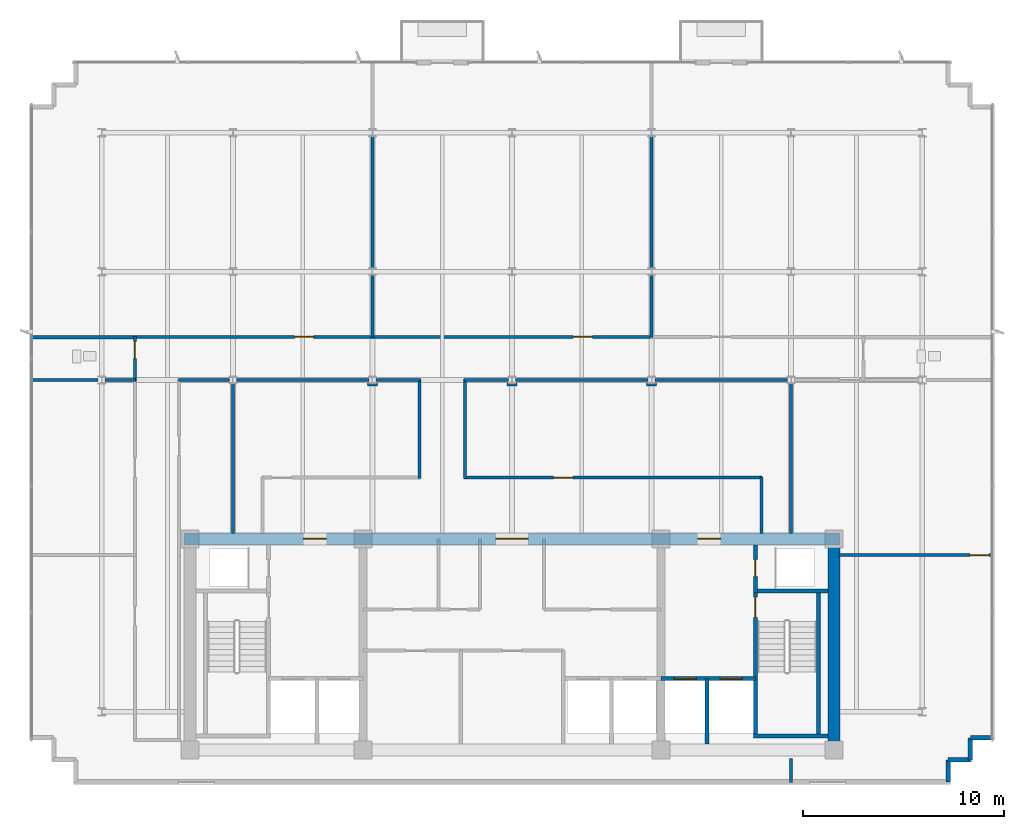
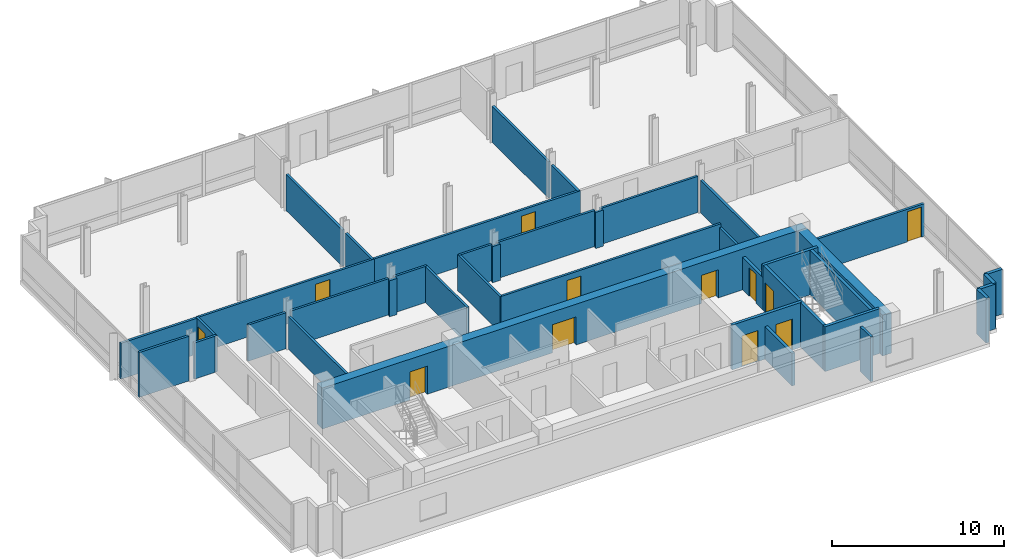
# One storey, part 9 of 13: 40 walls, 12 doors, 12 openings.
"""IFC4 building model written with IfcOpenShell, lengths in metres."""

import ifcopenshell
import ifcopenshell.guid

model = None  # the IFC model being written
_history = None  # IfcOwnerHistory: only IFC2X3 demands one
_inside = {}  # id of a spatial element -> (the spatial element, [elements in it])
_under = {}  # id of a project, library or spatial element -> (it, [spatial elements below it])
_declared = {}  # id of a project -> (the project, [libraries it declares])
_typed = {}  # id of a type object -> (the type object, [elements of that type])
_made_of = {}  # id of a material, layer set ... -> (it, [elements and type objects made of it])


def new_model(schema):
    """Start an empty IFC model of exactly this schema.

    Asked for "IFC4X3", IfcOpenShell would pick the latest addendum, in which some entities
    have other attributes; the version numbers below select the first issue.
    IFC2X3 requires an IfcOwnerHistory on every rooted entity: one is made here for all.
    """
    global model, _history
    if schema == "IFC4X3":
        model = ifcopenshell.file(schema_version=(4, 3, 0, 0))
    else:
        model = ifcopenshell.file(schema=schema)
    _inside.clear()
    _under.clear()
    _declared.clear()
    _typed.clear()
    _made_of.clear()
    _history = None
    if model.schema == "IFC2X3":
        org = make("IfcOrganization", Name="unknown")
        user = make(
            "IfcPersonAndOrganization",
            ThePerson=make("IfcPerson", FamilyName="unknown"),
            TheOrganization=org,
        )
        app = make(
            "IfcApplication",
            ApplicationDeveloper=org,
            Version="unknown",
            ApplicationFullName="unknown",
            ApplicationIdentifier="unknown",
        )
        _history = make(
            "IfcOwnerHistory",
            OwningUser=user,
            OwningApplication=app,
            ChangeAction="ADDED",
            CreationDate=0,
        )
    return model


def make(cls, **values):
    """One entity of the class cls with the attributes given. An attribute that is None is left unset."""
    return model.create_entity(
        cls, **{name: value for name, value in values.items() if value is not None}
    )


def rooted(cls, **values):
    """An entity with a GlobalId (a new one), such as an element, a storey or a relation."""
    return make(cls, GlobalId=ifcopenshell.guid.new(), OwnerHistory=_history, **values)


def si_unit(unit_type, name, prefix=None):
    """IfcSIUnit, for example si_unit("LENGTHUNIT", "METRE", prefix="MILLI")."""
    return make("IfcSIUnit", UnitType=unit_type, Prefix=prefix, Name=name)


def assignment(units):
    """IfcUnitAssignment: the units of a project."""
    return None if units is None else make("IfcUnitAssignment", Units=units)


def point(xyz):
    """IfcCartesianPoint."""
    return None if xyz is None else make("IfcCartesianPoint", Coordinates=xyz)


def direction(xyz):
    """IfcDirection."""
    return None if xyz is None else make("IfcDirection", DirectionRatios=xyz)


def frame(location, z_axis=None, x_axis=None):
    """IfcAxis2Placement3D, a coordinate frame: its origin and axes. An axis left out is left unset."""
    return make(
        "IfcAxis2Placement3D",
        Location=point(location),
        Axis=direction(z_axis),
        RefDirection=direction(x_axis),
    )


def frame_2d(location, x_axis=None):
    """IfcAxis2Placement2D, a coordinate frame in the plane: its origin and x axis."""
    return make(
        "IfcAxis2Placement2D", Location=point(location), RefDirection=direction(x_axis)
    )


def origin():
    """The frame at (0, 0, 0) with its axes left unset."""
    return frame((0.0, 0.0, 0.0))


def place(relative_to, where):
    """IfcLocalPlacement: puts the frame where relative to a parent placement (None: the world)."""
    return make(
        "IfcLocalPlacement", PlacementRelTo=relative_to, RelativePlacement=where
    )


def context(
    kind, dimensions, precision=None, world=None, true_north=None, identifier=None
):
    """IfcGeometricRepresentationContext, for example the 3D "Model" context."""
    return make(
        "IfcGeometricRepresentationContext",
        ContextIdentifier=identifier,
        ContextType=kind,
        CoordinateSpaceDimension=dimensions,
        Precision=precision,
        WorldCoordinateSystem=world,
        TrueNorth=true_north,
    )


def subcontext(parent, identifier, kind, view, scale=None):
    """IfcGeometricRepresentationSubContext, for example "Body" below "Model"."""
    return make(
        "IfcGeometricRepresentationSubContext",
        ContextIdentifier=identifier,
        ContextType=kind,
        ParentContext=parent,
        TargetScale=scale,
        TargetView=view,
    )


def project(units=None, contexts=None):
    """IfcProject with its units and contexts."""
    return rooted(
        "IfcProject",
        Name="project",
        RepresentationContexts=contexts,
        UnitsInContext=assignment(units),
    )


def spatial(cls, under=None, at=None, **own):
    """A site, building, storey or space (cls), placed at a placement, below another one or the project."""
    s = rooted(cls, ObjectPlacement=at, **own)
    if under is not None:
        _under.setdefault(under.id(), (under, []))[1].append(s)
    return s


def profile(cls, at=None, kind="AREA", **sizes):
    """A parametric profile (cls). Its sizes go by their IFC names, for example OverallWidth=200.0."""
    return make(cls, ProfileType=kind, Position=at, **sizes)


def rectangle(**sizes):
    """IfcRectangleProfileDef."""
    return profile("IfcRectangleProfileDef", **sizes)


def extrude(swept, where, along, depth):
    """IfcExtrudedAreaSolid: the profile swept, set in the frame where, extruded along a direction by depth."""
    return make(
        "IfcExtrudedAreaSolid",
        SweptArea=swept,
        Position=where,
        ExtrudedDirection=direction(along),
        Depth=depth,
    )


def shape(context_of_items, identifier, shape_type, items):
    """IfcShapeRepresentation: the items that make up one representation, for example the "Body"."""
    return make(
        "IfcShapeRepresentation",
        ContextOfItems=context_of_items,
        RepresentationIdentifier=identifier,
        RepresentationType=shape_type,
        Items=items,
    )


def material(Name=None, Category=None):
    """IfcMaterial."""
    return make("IfcMaterial", Name=Name, Category=Category)


def layer(
    of_material, thickness, ventilated=None, Name=None, Category=None, Priority=None
):
    """IfcMaterialLayer: one layer of a wall or slab, of a material (None: an air gap)."""
    return make(
        "IfcMaterialLayer",
        Material=of_material,
        LayerThickness=thickness,
        IsVentilated=ventilated,
        Name=Name,
        Category=Category,
        Priority=Priority,
    )


def layer_set(layers, Name=None):
    """IfcMaterialLayerSet."""
    return make("IfcMaterialLayerSet", MaterialLayers=layers, LayerSetName=Name)


def made_of(thing, what):
    """Note that an element or type object is made of a material, layer set ...; save() writes the relation."""
    if what is not None:
        _made_of.setdefault(what.id(), (what, []))[1].append(thing)
    return thing


def type_object(cls, material=None, **own):
    """A type object (cls), such as IfcWallType, which elements share."""
    return made_of(rooted(cls, **own), material)


def element(
    cls,
    number,
    at=None,
    inside=None,
    cuts=None,
    type_object=None,
    material=None,
    context=None,
    identifier="Body",
    shape_type=None,
    held_by="IfcProductDefinitionShape",
    body=None,
    shapes=None,
    **own,
):
    """One element of the class cls, such as IfcWall. Its Tag is "e" and its number.

    at: its placement. inside: the storey or other place that contains it. cuts: it is an
    opening in that element (IfcRelVoidsElement). A single representation is given by context,
    identifier, shape_type and body (its items); several are given by shapes. held_by: the class
    of the entity that holds the representations. save() writes the other relations.
    """
    e = rooted(cls, Tag="e%d" % number, ObjectPlacement=at, **own)
    if body is not None:
        shapes = [shape(context, identifier, shape_type, body)]
    if shapes is not None:
        e.Representation = make(held_by, Representations=shapes)
    if inside is not None:
        _inside.setdefault(inside.id(), (inside, []))[1].append(e)
    if cuts is not None:
        rooted(
            "IfcRelVoidsElement", RelatingBuildingElement=cuts, RelatedOpeningElement=e
        )
    if type_object is not None:
        _typed.setdefault(type_object.id(), (type_object, []))[1].append(e)
    return made_of(e, material)


def fill(opening, filler):
    """IfcRelFillsElement: the door or window that sits in an opening."""
    return rooted(
        "IfcRelFillsElement",
        RelatingOpeningElement=opening,
        RelatedBuildingElement=filler,
    )


def aggregate(whole, parts):
    """IfcRelAggregates: a whole, such as a stair, and the parts it consists of."""
    return rooted("IfcRelAggregates", RelatingObject=whole, RelatedObjects=parts)


def save(model, path):
    """Write the relations noted so far, then the file.

    IfcRelAggregates (storeys below a building ...), IfcRelContainedInSpatialStructure (elements
    in a storey), IfcRelDefinesByType, IfcRelAssociatesMaterial and IfcRelDeclares: one each for
    every whole, place, type object, material and project.
    """
    for whole, parts in _under.values():
        aggregate(whole, parts)
    for where, things in _inside.values():
        rooted(
            "IfcRelContainedInSpatialStructure",
            RelatedElements=things,
            RelatingStructure=where,
        )
    for kind, things in _typed.values():
        rooted("IfcRelDefinesByType", RelatedObjects=things, RelatingType=kind)
    for what, things in _made_of.values():
        rooted("IfcRelAssociatesMaterial", RelatedObjects=things, RelatingMaterial=what)
    for by, libraries in _declared.values():
        rooted("IfcRelDeclares", RelatingContext=by, RelatedDefinitions=libraries)
    model.write(path)


model = new_model("IFC4")

# Units and contexts
model_context = context("Model", 3, precision=1e-05, world=origin(), true_north=direction((0.0, 1.0)))
body_context = subcontext(model_context, "Body", "Model", "MODEL_VIEW")
ifc_project = project(units=[si_unit("LENGTHUNIT", "METRE"), si_unit("AREAUNIT", "SQUARE_METRE"), si_unit("VOLUMEUNIT", "CUBIC_METRE"), si_unit("PLANEANGLEUNIT", "RADIAN"), si_unit("MASSUNIT", "GRAM", prefix="KILO")], contexts=[model_context])

# Site, building, storey
site_placement = place(None, origin())
site = spatial("IfcSite", under=ifc_project, at=site_placement, CompositionType="ELEMENT")
building_placement = place(site_placement, origin())
building = spatial("IfcBuilding", under=site, at=building_placement, Name="Solmavex Isthmus Hotel", CompositionType="ELEMENT")
storey_placement = place(building_placement, frame((0.0, 0.0, 276.449951171875)))
storey = spatial("IfcBuildingStorey", under=building, at=storey_placement, Name="L75", CompositionType="ELEMENT", Elevation=276.449951171875)

# Walls
ifc_material_1 = material(Name="Precast Concrete C40/50", Category="concrete")
ifc_layer_1 = layer(ifc_material_1, 0.25)
ifc_layer_set_1 = layer_set([ifc_layer_1], Name="Precast Concrete C40/50")
wall_type_1 = type_object("IfcWallType", Name="EW-TWR-250", PredefinedType="STANDARD", material=ifc_layer_set_1)
wall_1_placement = place(storey_placement, frame((23.889892578125, -12.389892578125, 0.0), z_axis=(0.0, 0.0, 1.0), x_axis=(-1.0, 0.0, 0.0)))
element("IfcWall", 1, at=wall_1_placement, inside=storey, type_object=wall_type_1, Name="Serrated Corner Facade Panel L75-16", PredefinedType="STANDARD", context=body_context, shape_type="SweptSolid", body=[
    extrude(rectangle(XDim=1.099853515625, YDim=0.219970703125, at=frame_2d((0.5498046875, 0.0))), origin(), (0.0, 0.0, 1.0), 3.18994140625),
])
for number, where, z_axis, x_axis, name in (
    (2, (22.7900390625, -12.389892578125, 0.0), (0.0, 0.0, 1.0), (0.0, -1.0, 0.0), "Serrated Corner Facade Panel L75-17"),
    (3, (22.7900390625, -13.489990234375, 0.0), (0.0, 0.0, 1.0), (-1.0, 0.0, 0.0), "Serrated Corner Facade Panel L75-18"),
    (4, (21.68994140625, -13.489990234375, 0.0), (0.0, 0.0, 1.0), (0.0, -1.0, 0.0), "Serrated Corner Facade Panel L75-19"),
):
    element("IfcWall", number, at=place(storey_placement, frame(where, z_axis=z_axis, x_axis=x_axis)), inside=storey, type_object=wall_type_1, Name=name, PredefinedType="STANDARD", context=body_context, shape_type="SweptSolid", body=[
        extrude(rectangle(XDim=1.10009765625, YDim=0.219970703125, at=frame_2d((0.550048828125, 0.0))), origin(), (0.0, 0.0, 1.0), 3.18994140625),
    ])
ifc_material_2 = material(Name="Gypsum plasterboard lining", Category="gypsum")
ifc_layer_2 = layer(ifc_material_2, 0.159912109375)
ifc_layer_set_2 = layer_set([ifc_layer_2], Name="Gypsum plasterboard lining")
wall_type_2 = type_object("IfcWallType", Name="IW-COMP-160", PredefinedType="PARTITIONING", material=ifc_layer_set_2)
wall_2_placement = place(storey_placement, frame((-6.93603515625, 10.613037109375, 0.0), z_axis=(0.0, 0.0, 1.0), x_axis=(0.0, -1.0, 0.0)))
element("IfcWall", 5, at=wall_2_placement, inside=storey, type_object=wall_type_2, Name="Interior Partition Wall W-L75-P027", PredefinedType="PARTITIONING", context=body_context, shape_type="SweptSolid", body=[
    extrude(rectangle(XDim=3.10302734375, YDim=0.159912109375, at=frame_2d((1.551513671875, 0.0))), origin(), (0.0, 0.0, 1.0), 2.572265625),
])
wall_3_placement = place(storey_placement, frame((-6.93603515625, 17.52490234375, 0.0), z_axis=(0.0, 0.0, 1.0), x_axis=(0.0, -1.0, 0.0)))
element("IfcWall", 6, at=wall_3_placement, inside=storey, type_object=wall_type_2, Name="Interior Partition Wall W-L75-P028", PredefinedType="PARTITIONING", context=body_context, shape_type="SweptSolid", body=[
    extrude(rectangle(XDim=6.56201171875, YDim=0.159912109375, at=frame_2d((3.281005859375, 0.0))), origin(), (0.0, 0.0, 1.0), 2.572265625),
])
wall_4_placement = place(storey_placement, frame((-18.7099609375, 7.530029296875, 0.0), z_axis=(0.0, 0.0, 1.0), x_axis=(-1.0, 0.0, 0.0)))
element("IfcWall", 7, at=wall_4_placement, inside=storey, type_object=wall_type_2, Name="Interior Partition Wall W-L75-P030", PredefinedType="PARTITIONING", context=body_context, shape_type="SweptSolid", body=[
    extrude(rectangle(XDim=5.2099609375, YDim=0.159912109375, at=frame_2d((2.60498046875, 0.0))), origin(), (0.0, 0.0, 1.0), 2.5576171875),
])
wall_5_placement = place(storey_placement, frame((6.93603515625, 10.613037109375, 0.0), z_axis=(0.0, 0.0, 1.0), x_axis=(0.0, -1.0, 0.0)))
element("IfcWall", 8, at=wall_5_placement, inside=storey, type_object=wall_type_2, Name="Interior Partition Wall W-L75-P031", PredefinedType="PARTITIONING", context=body_context, shape_type="SweptSolid", body=[
    extrude(rectangle(XDim=3.10302734375, YDim=0.159912109375, at=frame_2d((1.551513671875, 0.0))), origin(), (0.0, 0.0, 1.0), 2.572265625),
])
wall_6_placement = place(storey_placement, frame((6.93603515625, 17.52490234375, 0.0), z_axis=(0.0, 0.0, 1.0), x_axis=(0.0, -1.0, 0.0)))
element("IfcWall", 9, at=wall_6_placement, inside=storey, type_object=wall_type_2, Name="Interior Partition Wall W-L75-P032", PredefinedType="PARTITIONING", context=body_context, shape_type="SweptSolid", body=[
    extrude(rectangle(XDim=6.56201171875, YDim=0.159912109375, at=frame_2d((3.281005859375, 0.0))), origin(), (0.0, 0.0, 1.0), 2.572265625),
])
wall_7_placement = place(storey_placement, frame((-20.574951171875, 5.39990234375, 0.0), z_axis=(0.0, 0.0, 1.0), x_axis=(-1.0, 0.0, 0.0)))
element("IfcWall", 10, at=wall_7_placement, inside=storey, type_object=wall_type_2, Name="Interior Partition Wall W-L75-P035", PredefinedType="PARTITIONING", context=body_context, shape_type="SweptSolid", body=[
    extrude(rectangle(XDim=3.344970703125, YDim=0.159912109375, at=frame_2d((1.67236328125, 0.0))), origin(), (0.0, 0.0, 1.0), 3.18994140625),
])
wall_8_placement = place(storey_placement, frame((-18.7099609375, 5.39990234375, 0.0), z_axis=(0.0, 0.0, 1.0), x_axis=(-1.0, 0.0, 0.0)))
element("IfcWall", 11, at=wall_8_placement, inside=storey, type_object=wall_type_2, Name="Interior Partition Wall W-L75-P036", PredefinedType="PARTITIONING", context=body_context, shape_type="SweptSolid", body=[
    extrude(rectangle(XDim=1.51513671875, YDim=0.159912109375, at=frame_2d((0.757568359375, 0.0))), origin(), (0.0, 0.0, 1.0), 2.572265625),
])
for number, where, z_axis, x_axis, name in (
    (12, (-13.8720703125, 5.22509765625, 0.0), (0.0, 0.0, 1.0), (0.0, -1.0, 0.0), "Interior Partition Wall W-L75-P039"),
    (13, (13.8720703125, 5.22509765625, 0.0), (0.0, 0.0, 1.0), (0.0, -1.0, 0.0), "Interior Partition Wall W-L75-P041"),
):
    element("IfcWall", number, at=place(storey_placement, frame(where, z_axis=z_axis, x_axis=x_axis)), inside=storey, type_object=wall_type_2, Name=name, PredefinedType="PARTITIONING", context=body_context, shape_type="SweptSolid", body=[
        extrude(rectangle(XDim=7.465087890625, YDim=0.159912109375, at=frame_2d((3.732421875, 0.0))), origin(), (0.0, 0.0, 1.0), 2.324951171875),
    ])

# Wall, opening, door
wall_9_placement = place(storey_placement, frame((23.919921875, -3.300048828125, 0.0), z_axis=(0.0, 0.0, 1.0), x_axis=(-1.0, 0.0, 0.0)))
wall_9 = element("IfcWall", 14, at=wall_9_placement, inside=storey, type_object=wall_type_2, Name="Interior Partition Wall W-L75-P042", PredefinedType="PARTITIONING", context=body_context, shape_type="SweptSolid", body=[
    extrude(rectangle(XDim=7.659912109375, YDim=0.159912109375, at=frame_2d((3.830078125, 0.0))), origin(), (0.0, 0.0, 1.0), 2.324951171875),
])
opening_1_placement = place(wall_9_placement, frame((0.2099609375, 0.0, 0.0)))
opening_1 = element("IfcOpeningElement", 15, at=opening_1_placement, cuts=wall_9, Name="Opening ID-C095", PredefinedType="OPENING", context=body_context, shape_type="SweptSolid", body=[
    extrude(rectangle(XDim=0.949951171875, YDim=2.14990234375, at=frame_2d((0.47509765625, 1.074951171875))), frame((0.0, 0.08984375, 0.0), z_axis=(0.0, -1.0, 0.0), x_axis=(1.0, 0.0, 0.0)), (0.0, 0.0, 1.0), 0.179931640625),
])
ifc_material_3 = material(Name="Hardwood timber", Category="wood")
door_type_1 = type_object("IfcDoorType", Name="IDR-FD60-0950", OperationType="NOTDEFINED", PredefinedType="DOOR", material=ifc_material_3)
door_1_placement = place(opening_1_placement, origin())
door_1 = element("IfcDoor", 16, at=door_1_placement, inside=storey, type_object=door_type_1, Name="Corporate Briefing Office Door L75-11", OperationType="SINGLE_SWING_LEFT", OverallHeight=2.14990234375, OverallWidth=0.949951171875, PredefinedType="DOOR", context=body_context, shape_type="SweptSolid", body=[
    extrude(rectangle(XDim=0.949951171875, YDim=2.14990234375, at=frame_2d((0.47509765625, 1.074951171875))), frame((0.0, 0.02490234375, 0.0), z_axis=(0.0, -1.0, 0.0), x_axis=(1.0, 0.0, 0.0)), (0.0, 0.0, 1.0), 0.050048828125),
])
fill(opening_1, door_1)

# Wall
wall_10_placement = place(storey_placement, frame((13.8720703125, -14.6201171875, 0.0), z_axis=(0.0, 0.0, 1.0), x_axis=(0.0, 1.0, 0.0)))
element("IfcWall", 17, at=wall_10_placement, inside=storey, type_object=wall_type_2, Name="Interior Partition Wall W-L75-P043", PredefinedType="PARTITIONING", context=body_context, shape_type="SweptSolid", body=[
    extrude(rectangle(XDim=1.210205078125, YDim=0.159912109375, at=frame_2d((0.60498046875, 0.0))), origin(), (0.0, 0.0, 1.0), 3.18994140625),
])

# Wall, opening, door
ifc_layer_3 = layer(ifc_material_2, 0.14990234375)
ifc_layer_set_3 = layer_set([ifc_layer_3], Name="Gypsum plasterboard lining")
wall_type_3 = type_object("IfcWallType", Name="IW-CORR-150", PredefinedType="PARTITIONING", material=ifc_layer_set_3)
wall_11_placement = place(storey_placement, frame((-18.7900390625, 7.550048828125, 0.0), z_axis=(0.0, 0.0, 1.0), x_axis=(1.0, 0.0, 0.0)))
wall_11 = element("IfcWall", 18, at=wall_11_placement, inside=storey, type_object=wall_type_3, Name="Interior Partition Wall W-L75-P001", PredefinedType="PARTITIONING", context=body_context, shape_type="SweptSolid", body=[
    extrude(rectangle(XDim=11.93603515625, YDim=0.14990234375, at=frame_2d((5.968017578125, 0.0))), origin(), (0.0, 0.0, 1.0), 2.572265625),
])
opening_2_placement = place(wall_11_placement, frame((7.98291015625, 0.0, 0.0)))
opening_2 = element("IfcOpeningElement", 19, at=opening_2_placement, cuts=wall_11, Name="Opening ID-C095", PredefinedType="OPENING", context=body_context, shape_type="SweptSolid", body=[
    extrude(rectangle(XDim=0.949951171875, YDim=2.14990234375, at=frame_2d((0.47509765625, 1.074951171875))), frame((0.0, 0.0849609375, 0.0), z_axis=(0.0, -1.0, 0.0), x_axis=(1.0, 0.0, 0.0)), (0.0, 0.0, 1.0), 0.169921875),
])
door_2_placement = place(opening_2_placement, origin())
door_2 = element("IfcDoor", 20, at=door_2_placement, inside=storey, type_object=door_type_1, Name="Corporate Briefing Office Door L75-01", OperationType="SINGLE_SWING_LEFT", OverallHeight=2.14990234375, OverallWidth=0.949951171875, PredefinedType="DOOR", context=body_context, shape_type="SweptSolid", body=[
    extrude(rectangle(XDim=0.949951171875, YDim=2.14990234375, at=frame_2d((0.47509765625, 1.074951171875))), frame((0.0, 0.02490234375, 0.0), z_axis=(0.0, -1.0, 0.0), x_axis=(1.0, 0.0, 0.0)), (0.0, 0.0, 1.0), 0.050048828125),
])
fill(opening_2, door_2)

wall_12_placement = place(storey_placement, frame((-7.01806640625, 7.550048828125, 0.0), z_axis=(0.0, 0.0, 1.0), x_axis=(1.0, 0.0, 0.0)))
wall_12 = element("IfcWall", 21, at=wall_12_placement, inside=storey, type_object=wall_type_3, Name="Interior Partition Wall W-L75-P002", PredefinedType="PARTITIONING", context=body_context, shape_type="SweptSolid", body=[
    extrude(rectangle(XDim=14.0361328125, YDim=0.14990234375, at=frame_2d((7.01806640625, 0.0))), origin(), (0.0, 0.0, 1.0), 2.572265625),
])
opening_3_placement = place(wall_12_placement, frame((10.059814453125, 0.0, 0.0)))
opening_3 = element("IfcOpeningElement", 22, at=opening_3_placement, cuts=wall_12, Name="Opening ID-C095", PredefinedType="OPENING", context=body_context, shape_type="SweptSolid", body=[
    extrude(rectangle(XDim=0.949951171875, YDim=2.14990234375, at=frame_2d((0.47509765625, 1.074951171875))), frame((0.0, 0.0849609375, 0.0), z_axis=(0.0, -1.0, 0.0), x_axis=(1.0, 0.0, 0.0)), (0.0, 0.0, 1.0), 0.169921875),
])
door_3_placement = place(opening_3_placement, origin())
door_3 = element("IfcDoor", 23, at=door_3_placement, inside=storey, type_object=door_type_1, Name="Corporate Briefing Office Door L75-02", OperationType="SINGLE_SWING_RIGHT", OverallHeight=2.14990234375, OverallWidth=0.949951171875, PredefinedType="DOOR", context=body_context, shape_type="SweptSolid", body=[
    extrude(rectangle(XDim=0.949951171875, YDim=2.14990234375, at=frame_2d((0.47509765625, 1.074951171875))), frame((0.0, 0.02490234375, 0.0), z_axis=(0.0, -1.0, 0.0), x_axis=(1.0, 0.0, 0.0)), (0.0, 0.0, 1.0), 0.050048828125),
])
fill(opening_3, door_3)

wall_13_placement = place(storey_placement, frame((-18.75, 5.318115234375, 0.0), z_axis=(0.0, 0.0, 1.0), x_axis=(0.0, 1.0, 0.0)))
wall_13 = element("IfcWall", 24, at=wall_13_placement, inside=storey, type_object=wall_type_3, Name="Interior Partition Wall W-L75-P004", PredefinedType="PARTITIONING", context=body_context, shape_type="SweptSolid", body=[
    extrude(rectangle(XDim=2.251953125, YDim=0.14990234375, at=frame_2d((1.1259765625, 0.0))), origin(), (0.0, 0.0, 1.0), 2.572265625),
])
opening_4_placement = place(wall_13_placement, frame((1.156982421875, 0.0, 0.0)))
opening_4 = element("IfcOpeningElement", 25, at=opening_4_placement, cuts=wall_13, Name="Opening ID-R085", PredefinedType="OPENING", context=body_context, shape_type="SweptSolid", body=[
    extrude(rectangle(XDim=0.85009765625, YDim=2.050048828125, at=frame_2d((0.425048828125, 1.02490234375))), frame((0.0, 0.0849609375, 0.0), z_axis=(0.0, -1.0, 0.0), x_axis=(1.0, 0.0, 0.0)), (0.0, 0.0, 1.0), 0.169921875),
])
ifc_material_4 = material(Name="Steel ASTM A500 Grade C", Category="steel")
door_type_2 = type_object("IfcDoorType", Name="IDR-FD60-0850", OperationType="NOTDEFINED", PredefinedType="DOOR", material=ifc_material_4)
door_4_placement = place(opening_4_placement, frame((0.85009765625, 0.0, 0.0), z_axis=(0.0, 0.0, 1.0), x_axis=(-1.0, 0.0, 0.0)))
door_4 = element("IfcDoor", 26, at=door_4_placement, inside=storey, type_object=door_type_2, Name="Accessible Public Restroom WC Door L75-04", OperationType="SINGLE_SWING_RIGHT", OverallHeight=2.050048828125, OverallWidth=0.85009765625, PredefinedType="DOOR", context=body_context, shape_type="SweptSolid", body=[
    extrude(rectangle(XDim=0.85009765625, YDim=2.050048828125, at=frame_2d((0.425048828125, 1.02490234375))), frame((0.0, 0.02490234375, 0.0), z_axis=(0.0, -1.0, 0.0), x_axis=(1.0, 0.0, 0.0)), (0.0, 0.0, 1.0), 0.050048828125),
])
fill(opening_4, door_4)

# Walls
wall_14_placement = place(storey_placement, frame((-14.047119140625, 5.39990234375, 0.0), z_axis=(0.0, 0.0, 1.0), x_axis=(-1.0, 0.0, 0.0)))
element("IfcWall", 27, at=wall_14_placement, inside=storey, type_object=wall_type_3, Name="Interior Partition Wall W-L75-P006", PredefinedType="PARTITIONING", context=body_context, shape_type="SweptSolid", body=[
    extrude(rectangle(XDim=2.54296875, YDim=0.14990234375, at=frame_2d((1.271484375, 0.0))), origin(), (0.0, 0.0, 1.0), 2.572265625),
])
wall_15_placement = place(storey_placement, frame((-4.587890625, 0.510009765625, 0.0), z_axis=(0.0, 0.0, 1.0), x_axis=(0.0, 1.0, 0.0)))
element("IfcWall", 28, at=wall_15_placement, inside=storey, type_object=wall_type_3, Name="Interior Partition Wall W-L75-P011", PredefinedType="PARTITIONING", context=body_context, shape_type="SweptSolid", body=[
    extrude(rectangle(XDim=4.929931640625, YDim=0.14990234375, at=frame_2d((2.46484375, 0.0))), origin(), (0.0, 0.0, 1.0), 2.572265625),
])
wall_16_placement = place(storey_placement, frame((-4.548095703125, 5.39990234375, 0.0), z_axis=(0.0, 0.0, 1.0), x_axis=(-1.0, 0.0, 0.0)))
element("IfcWall", 29, at=wall_16_placement, inside=storey, type_object=wall_type_3, Name="Interior Partition Wall W-L75-P012", PredefinedType="PARTITIONING", context=body_context, shape_type="SweptSolid", body=[
    extrude(rectangle(XDim=2.212890625, YDim=0.14990234375, at=frame_2d((1.1064453125, 0.0))), origin(), (0.0, 0.0, 1.0), 2.572265625),
])
wall_17_placement = place(storey_placement, frame((-6.680908203125, 5.18505859375, 0.0), z_axis=(0.0, 0.0, 1.0), x_axis=(-1.0, 0.0, 0.0)))
element("IfcWall", 30, at=wall_17_placement, inside=storey, type_object=wall_type_3, Name="Interior Partition Wall W-L75-P013", PredefinedType="PARTITIONING", context=body_context, shape_type="SweptSolid", body=[
    extrude(rectangle(XDim=0.510009765625, YDim=0.14990234375, at=frame_2d((0.2548828125, 0.0))), origin(), (0.0, 0.0, 1.0), 2.572265625),
])
for number, where, z_axis, x_axis, name in (
    (31, (-7.111083984375, 5.39990234375, 0.0), (0.0, 0.0, 1.0), (-1.0, 0.0, 0.0), "Interior Partition Wall W-L75-P014"),
    (32, (13.697021484375, 5.39990234375, 0.0), (0.0, 0.0, 1.0), (-1.0, 0.0, 0.0), "Interior Partition Wall W-L75-P015"),
):
    element("IfcWall", number, at=place(storey_placement, frame(where, z_axis=z_axis, x_axis=x_axis)), inside=storey, type_object=wall_type_3, Name=name, PredefinedType="PARTITIONING", context=body_context, shape_type="SweptSolid", body=[
        extrude(rectangle(XDim=6.5859375, YDim=0.14990234375, at=frame_2d((3.29296875, 0.0))), origin(), (0.0, 0.0, 1.0), 2.572265625),
    ])
wall_18_placement = place(storey_placement, frame((7.19091796875, 5.18505859375, 0.0), z_axis=(0.0, 0.0, 1.0), x_axis=(-1.0, 0.0, 0.0)))
element("IfcWall", 33, at=wall_18_placement, inside=storey, type_object=wall_type_3, Name="Interior Partition Wall W-L75-P016", PredefinedType="PARTITIONING", context=body_context, shape_type="SweptSolid", body=[
    extrude(rectangle(XDim=0.510009765625, YDim=0.14990234375, at=frame_2d((0.2548828125, 0.0))), origin(), (0.0, 0.0, 1.0), 2.572265625),
])
wall_19_placement = place(storey_placement, frame((6.760986328125, 5.39990234375, 0.0), z_axis=(0.0, 0.0, 1.0), x_axis=(-1.0, 0.0, 0.0)))
element("IfcWall", 34, at=wall_19_placement, inside=storey, type_object=wall_type_3, Name="Interior Partition Wall W-L75-P017", PredefinedType="PARTITIONING", context=body_context, shape_type="SweptSolid", body=[
    extrude(rectangle(XDim=6.5859375, YDim=0.14990234375, at=frame_2d((3.29296875, 0.0))), origin(), (0.0, 0.0, 1.0), 2.572265625),
])
wall_20_placement = place(storey_placement, frame((0.2548828125, 5.18505859375, 0.0), z_axis=(0.0, 0.0, 1.0), x_axis=(-1.0, 0.0, 0.0)))
element("IfcWall", 35, at=wall_20_placement, inside=storey, type_object=wall_type_3, Name="Interior Partition Wall W-L75-P018", PredefinedType="PARTITIONING", context=body_context, shape_type="SweptSolid", body=[
    extrude(rectangle(XDim=0.509765625, YDim=0.14990234375, at=frame_2d((0.2548828125, 0.0))), origin(), (0.0, 0.0, 1.0), 2.572265625),
])
wall_21_placement = place(storey_placement, frame((-0.175048828125, 5.39990234375, 0.0), z_axis=(0.0, 0.0, 1.0), x_axis=(-1.0, 0.0, 0.0)))
element("IfcWall", 36, at=wall_21_placement, inside=storey, type_object=wall_type_3, Name="Interior Partition Wall W-L75-P019", PredefinedType="PARTITIONING", context=body_context, shape_type="SweptSolid", body=[
    extrude(rectangle(XDim=2.212890625, YDim=0.14990234375, at=frame_2d((1.1064453125, 0.0))), origin(), (0.0, 0.0, 1.0), 2.572265625),
])
wall_22_placement = place(storey_placement, frame((-2.347900390625, 5.43994140625, 0.0), z_axis=(0.0, 0.0, 1.0), x_axis=(0.0, -1.0, 0.0)))
element("IfcWall", 37, at=wall_22_placement, inside=storey, type_object=wall_type_3, Name="Interior Partition Wall W-L75-P020", PredefinedType="PARTITIONING", context=body_context, shape_type="SweptSolid", body=[
    extrude(rectangle(XDim=4.929931640625, YDim=0.14990234375, at=frame_2d((2.46484375, 0.0))), origin(), (0.0, 0.0, 1.0), 2.572265625),
])

# Wall, opening, door
wall_23_placement = place(storey_placement, frame((-2.387939453125, 0.550048828125, 0.0), z_axis=(0.0, 0.0, 1.0), x_axis=(1.0, 0.0, 0.0)))
wall_23 = element("IfcWall", 38, at=wall_23_placement, inside=storey, type_object=wall_type_3, Name="Interior Partition Wall W-L75-P021", PredefinedType="PARTITIONING", context=body_context, shape_type="SweptSolid", body=[
    extrude(rectangle(XDim=14.827880859375, YDim=0.14990234375, at=frame_2d((7.4140625, 0.0))), origin(), (0.0, 0.0, 1.0), 2.572265625),
])
opening_5_placement = place(wall_23_placement, frame((4.461181640625, 0.0, 0.0)))
opening_5 = element("IfcOpeningElement", 39, at=opening_5_placement, cuts=wall_23, Name="Opening ID-C095", PredefinedType="OPENING", context=body_context, shape_type="SweptSolid", body=[
    extrude(rectangle(XDim=0.949951171875, YDim=2.14990234375, at=frame_2d((0.47509765625, 1.074951171875))), frame((0.0, 0.0849609375, 0.0), z_axis=(0.0, -1.0, 0.0), x_axis=(1.0, 0.0, 0.0)), (0.0, 0.0, 1.0), 0.169921875),
])
door_5_placement = place(opening_5_placement, frame((0.949951171875, 0.0, 0.0), z_axis=(0.0, 0.0, 1.0), x_axis=(-1.0, 0.0, 0.0)))
door_5 = element("IfcDoor", 40, at=door_5_placement, inside=storey, type_object=door_type_1, Name="Wine Tasting Lounge Door L75-09", OperationType="SINGLE_SWING_LEFT", OverallHeight=2.14990234375, OverallWidth=0.949951171875, PredefinedType="DOOR", context=body_context, shape_type="SweptSolid", body=[
    extrude(rectangle(XDim=0.949951171875, YDim=2.14990234375, at=frame_2d((0.47509765625, 1.074951171875))), frame((0.0, 0.02490234375, 0.0), z_axis=(0.0, -1.0, 0.0), x_axis=(1.0, 0.0, 0.0)), (0.0, 0.0, 1.0), 0.050048828125),
])
fill(opening_5, door_5)

# Wall
wall_24_placement = place(storey_placement, frame((12.39990234375, 0.590087890625, 0.0), z_axis=(0.0, 0.0, 1.0), x_axis=(0.0, -1.0, 0.0)))
element("IfcWall", 41, at=wall_24_placement, inside=storey, type_object=wall_type_3, Name="Interior Partition Wall W-L75-P022", PredefinedType="PARTITIONING", context=body_context, shape_type="SweptSolid", body=[
    extrude(rectangle(XDim=2.830078125, YDim=0.14990234375, at=frame_2d((1.4150390625, 0.0))), origin(), (0.0, 0.0, 1.0), 2.324951171875),
])

# Wall, opening, door
ifc_material_5 = material(Name="Concrete C40/50", Category="concrete")
ifc_layer_4 = layer(ifc_material_5, 0.199951171875)
ifc_layer_set_4 = layer_set([ifc_layer_4], Name="Concrete C40/50")
wall_type_4 = type_object("IfcWallType", Name="IW-SHAFT-200", PredefinedType="PARTITIONING", material=ifc_layer_set_4)
wall_25_placement = place(storey_placement, frame((12.10009765625, -5.199951171875, 0.0), z_axis=(0.0, 0.0, 1.0), x_axis=(0.0, 1.0, 0.0)))
wall_25 = element("IfcWall", 42, at=wall_25_placement, inside=storey, type_object=wall_type_4, Name="Interior Partition Wall W-L75-RSE-W", PredefinedType="PARTITIONING", context=body_context, shape_type="SweptSolid", body=[
    extrude(rectangle(XDim=2.39990234375, YDim=0.199951171875, at=frame_2d((1.199951171875, 0.0))), origin(), (0.0, 0.0, 1.0), 2.324951171875),
])
opening_6_placement = place(wall_25_placement, frame((0.824951171875, 0.0, 0.0)))
opening_6 = element("IfcOpeningElement", 43, at=opening_6_placement, cuts=wall_25, Name="Opening ID-R085", PredefinedType="OPENING", context=body_context, shape_type="SweptSolid", body=[
    extrude(rectangle(XDim=0.85009765625, YDim=2.050048828125, at=frame_2d((0.425048828125, 1.02490234375))), frame((0.0, 0.10986328125, 0.0), z_axis=(0.0, -1.0, 0.0), x_axis=(1.0, 0.0, 0.0)), (0.0, 0.0, 1.0), 0.219970703125),
])
door_6_placement = place(opening_6_placement, frame((0.85009765625, 0.0, 0.0), z_axis=(0.0, 0.0, 1.0), x_axis=(-1.0, 0.0, 0.0)))
door_6 = element("IfcDoor", 44, at=door_6_placement, inside=storey, type_object=door_type_2, Name="Mechanical Riser Door L75", OperationType="SINGLE_SWING_LEFT", OverallHeight=2.050048828125, OverallWidth=0.85009765625, PredefinedType="DOOR", context=body_context, shape_type="SweptSolid", body=[
    extrude(rectangle(XDim=0.85009765625, YDim=2.050048828125, at=frame_2d((0.425048828125, 1.02490234375))), frame((0.0, 0.02490234375, 0.0), z_axis=(0.0, -1.0, 0.0), x_axis=(1.0, 0.0, 0.0)), (0.0, 0.0, 1.0), 0.050048828125),
])
fill(opening_6, door_6)

# Wall, openings, doors
wall_26_placement = place(storey_placement, frame((7.39990234375, -9.449951171875, 0.0), z_axis=(0.0, 0.0, 1.0), x_axis=(1.0, 0.0, 0.0)))
wall_26 = element("IfcWall", 45, at=wall_26_placement, inside=storey, type_object=wall_type_4, Name="Interior Partition Wall W-L75-FFLE-S", PredefinedType="PARTITIONING", context=body_context, shape_type="SweptSolid", body=[
    extrude(rectangle(XDim=4.7001953125, YDim=0.199951171875, at=frame_2d((2.35009765625, 0.0))), origin(), (0.0, 0.0, 1.0), 3.18994140625),
])
opening_7_placement = place(wall_26_placement, frame((2.949951171875, 0.0, 0.0)))
opening_7 = element("IfcOpeningElement", 46, at=opening_7_placement, cuts=wall_26, Name="Opening LD-FF", PredefinedType="OPENING", context=body_context, shape_type="SweptSolid", body=[
    extrude(rectangle(XDim=1.10009765625, YDim=2.199951171875, at=frame_2d((0.550048828125, 1.10009765625))), frame((0.0, 0.10986328125, 0.0), z_axis=(0.0, -1.0, 0.0), x_axis=(1.0, 0.0, 0.0)), (0.0, 0.0, 1.0), 0.219970703125),
])
opening_8_placement = place(wall_26_placement, frame((0.64990234375, 0.0, 0.0)))
opening_8 = element("IfcOpeningElement", 47, at=opening_8_placement, cuts=wall_26, Name="Opening LD-SV", PredefinedType="OPENING", context=body_context, shape_type="SweptSolid", body=[
    extrude(rectangle(XDim=1.10009765625, YDim=2.199951171875, at=frame_2d((0.550048828125, 1.10009765625))), frame((0.0, 0.10986328125, 0.0), z_axis=(0.0, -1.0, 0.0), x_axis=(1.0, 0.0, 0.0)), (0.0, 0.0, 1.0), 0.219970703125),
])
ifc_material_6 = material(Name="Stainless steel 316", Category="steel")
door_type_3 = type_object("IfcDoorType", Name="LDR-FF-1100", OperationType="NOTDEFINED", PredefinedType="DOOR", material=ifc_material_6)
door_7_placement = place(opening_7_placement, origin())
door_7 = element("IfcDoor", 48, at=door_7_placement, inside=storey, type_object=door_type_3, Name="Lift Landing Door FFL-2 L75", OperationType="SLIDING_TO_LEFT", OverallHeight=2.199951171875, OverallWidth=1.10009765625, PredefinedType="DOOR", context=body_context, shape_type="SweptSolid", body=[
    extrude(rectangle(XDim=1.10009765625, YDim=2.199951171875, at=frame_2d((0.550048828125, 1.10009765625))), frame((0.0, 0.02490234375, 0.0), z_axis=(0.0, -1.0, 0.0), x_axis=(1.0, 0.0, 0.0)), (0.0, 0.0, 1.0), 0.050048828125),
])
fill(opening_7, door_7)
door_type_4 = type_object("IfcDoorType", Name="LDR-SV-1100", OperationType="NOTDEFINED", PredefinedType="DOOR", material=ifc_material_6)
door_8_placement = place(opening_8_placement, origin())
door_8 = element("IfcDoor", 49, at=door_8_placement, inside=storey, type_object=door_type_4, Name="Lift Landing Door SVL-2 L75", OperationType="SLIDING_TO_RIGHT", OverallHeight=2.199951171875, OverallWidth=1.10009765625, PredefinedType="DOOR", context=body_context, shape_type="SweptSolid", body=[
    extrude(rectangle(XDim=1.10009765625, YDim=2.199951171875, at=frame_2d((0.550048828125, 1.10009765625))), frame((0.0, 0.02490234375, 0.0), z_axis=(0.0, -1.0, 0.0), x_axis=(1.0, 0.0, 0.0)), (0.0, 0.0, 1.0), 0.050048828125),
])
fill(opening_8, door_8)

# Wall
wall_27_placement = place(storey_placement, frame((9.699951171875, -12.699951171875, 0.0), z_axis=(0.0, 0.0, 1.0), x_axis=(0.0, 1.0, 0.0)))
element("IfcWall", 50, at=wall_27_placement, inside=storey, type_object=wall_type_4, Name="Interior Partition Wall W-L75-FFLE-M", PredefinedType="PARTITIONING", context=body_context, shape_type="SweptSolid", body=[
    extrude(rectangle(XDim=3.25, YDim=0.199951171875, at=frame_2d((1.625, 0.0))), origin(), (0.0, 0.0, 1.0), 2.324951171875),
])

# Wall, openings, doors
ifc_material_7 = material(Name="Concrete C50/60", Category="concrete")
ifc_layer_5 = layer(ifc_material_7, 0.60009765625)
ifc_layer_set_5 = layer_set([ifc_layer_5], Name="Concrete C50/60")
wall_type_5 = type_object("IfcWallType", Name="WALL-CW-600", PredefinedType="SHEAR", material=ifc_layer_set_5)
wall_28_placement = place(storey_placement, frame((-16.300048828125, -2.5, 0.0), z_axis=(0.0, 0.0, 1.0), x_axis=(1.0, 0.0, 0.0)))
wall_28 = element("IfcWall", 51, at=wall_28_placement, inside=storey, type_object=wall_type_5, Name="Core Shear Wall North L75", PredefinedType="SHEAR", context=body_context, shape_type="SweptSolid", body=[
    extrude(rectangle(XDim=32.60009765625, YDim=0.60009765625, at=frame_2d((16.300048828125, 0.0))), origin(), (0.0, 0.0, 1.0), 2.91015625),
])
opening_9_placement = place(wall_28_placement, frame((5.925048828125, 0.0, 0.0)))
opening_9 = element("IfcOpeningElement", 52, at=opening_9_placement, cuts=wall_28, Name="Opening ID-F915", PredefinedType="OPENING", context=body_context, shape_type="SweptSolid", body=[
    extrude(rectangle(XDim=1.14990234375, YDim=2.0, at=frame_2d((0.574951171875, 1.0))), frame((0.0, 0.31005859375, 0.0), z_axis=(0.0, -1.0, 0.0), x_axis=(1.0, 0.0, 0.0)), (0.0, 0.0, 1.0), 0.6201171875),
])
opening_10_placement = place(wall_28_placement, frame((15.5, 0.0, 0.0)))
opening_10 = element("IfcOpeningElement", 53, at=opening_10_placement, cuts=wall_28, Name="Opening ID-F960", PredefinedType="OPENING", context=body_context, shape_type="SweptSolid", body=[
    extrude(rectangle(XDim=1.60009765625, YDim=2.0, at=frame_2d((0.800048828125, 1.0))), frame((0.0, 0.31005859375, 0.0), z_axis=(0.0, -1.0, 0.0), x_axis=(1.0, 0.0, 0.0)), (0.0, 0.0, 1.0), 0.6201171875),
])
opening_11_placement = place(wall_28_placement, frame((25.52490234375, 0.0, 0.0)))
opening_11 = element("IfcOpeningElement", 54, at=opening_11_placement, cuts=wall_28, Name="Opening ID-F915", PredefinedType="OPENING", context=body_context, shape_type="SweptSolid", body=[
    extrude(rectangle(XDim=1.14990234375, YDim=2.0, at=frame_2d((0.574951171875, 1.0))), frame((0.0, 0.31005859375, 0.0), z_axis=(0.0, -1.0, 0.0), x_axis=(1.0, 0.0, 0.0)), (0.0, 0.0, 1.0), 0.6201171875),
])
door_type_5 = type_object("IfcDoorType", Name="IDR-FD90-1150C", OperationType="NOTDEFINED", PredefinedType="DOOR", material=ifc_material_4)
door_9_placement = place(opening_9_placement, origin())
door_9 = element("IfcDoor", 55, at=door_9_placement, inside=storey, type_object=door_type_5, Name="Firefighting Lobby West Exit Door L75", OperationType="SINGLE_SWING_LEFT", OverallHeight=2.0, OverallWidth=1.14990234375, PredefinedType="DOOR", context=body_context, shape_type="SweptSolid", body=[
    extrude(rectangle(XDim=1.14990234375, YDim=2.0, at=frame_2d((0.574951171875, 1.0))), frame((0.0, 0.02490234375, 0.0), z_axis=(0.0, -1.0, 0.0), x_axis=(1.0, 0.0, 0.0)), (0.0, 0.0, 1.0), 0.050048828125),
])
fill(opening_9, door_9)
door_10_placement = place(opening_11_placement, origin())
door_10 = element("IfcDoor", 56, at=door_10_placement, inside=storey, type_object=door_type_5, Name="Firefighting Lobby East Exit Door L75", OperationType="SINGLE_SWING_RIGHT", OverallHeight=2.0, OverallWidth=1.14990234375, PredefinedType="DOOR", context=body_context, shape_type="SweptSolid", body=[
    extrude(rectangle(XDim=1.14990234375, YDim=2.0, at=frame_2d((0.574951171875, 1.0))), frame((0.0, 0.02490234375, 0.0), z_axis=(0.0, -1.0, 0.0), x_axis=(1.0, 0.0, 0.0)), (0.0, 0.0, 1.0), 0.050048828125),
])
fill(opening_11, door_10)
door_type_6 = type_object("IfcDoorType", Name="IDR-FD90-1600C", OperationType="NOTDEFINED", PredefinedType="DOOR", material=ifc_material_4)
door_11_placement = place(opening_10_placement, origin())
door_11 = element("IfcDoor", 57, at=door_11_placement, inside=storey, type_object=door_type_6, Name="Central Lift Lobby Door L75", OperationType="DOUBLE_DOOR_SINGLE_SWING", OverallHeight=2.0, OverallWidth=1.60009765625, PredefinedType="DOOR", context=body_context, shape_type="SweptSolid", body=[
    extrude(rectangle(XDim=1.60009765625, YDim=2.0, at=frame_2d((0.800048828125, 1.0))), frame((0.0, 0.02490234375, 0.0), z_axis=(0.0, -1.0, 0.0), x_axis=(1.0, 0.0, 0.0)), (0.0, 0.0, 1.0), 0.050048828125),
])
fill(opening_10, door_11)

# Walls
wall_29_placement = place(storey_placement, frame((16.0, -12.699951171875, 0.0), z_axis=(0.0, 0.0, 1.0), x_axis=(0.0, 1.0, 0.0)))
element("IfcWall", 58, at=wall_29_placement, inside=storey, type_object=wall_type_5, Name="Core Shear Wall East L75", PredefinedType="SHEAR", context=body_context, shape_type="SweptSolid", body=[
    extrude(rectangle(XDim=9.89990234375, YDim=0.60009765625, at=frame_2d((4.949951171875, 0.0))), origin(), (0.0, 0.0, 1.0), 2.91015625),
])
ifc_layer_6 = layer(ifc_material_5, 0.199951171875)
ifc_layer_set_6 = layer_set([ifc_layer_6], Name="Concrete C40/50")
wall_type_6 = type_object("IfcWallType", Name="WALL-SW-200", PredefinedType="SOLIDWALL", material=ifc_layer_set_6)
for number, where, z_axis, x_axis, name in (
    (59, (12.0, -12.300048828125, 0.0), (0.0, 0.0, 1.0), (1.0, 0.0, 0.0), "Stairwell Structural Wall SW-L75-ST2-S"),
    (60, (12.0, -5.10009765625, 0.0), (0.0, 0.0, 1.0), (1.0, 0.0, 0.0), "Stairwell Structural Wall SW-L75-ST2-N"),
):
    element("IfcWall", number, at=place(storey_placement, frame(where, z_axis=z_axis, x_axis=x_axis)), inside=storey, type_object=wall_type_6, Name=name, PredefinedType="SOLIDWALL", context=body_context, shape_type="SweptSolid", body=[
        extrude(rectangle(XDim=3.699951171875, YDim=0.199951171875, at=frame_2d((1.85009765625, 0.0))), origin(), (0.0, 0.0, 1.0), 3.18994140625),
    ])

# Wall, opening, door
wall_30_placement = place(storey_placement, frame((12.10009765625, -12.199951171875, 0.0), z_axis=(0.0, 0.0, 1.0), x_axis=(0.0, 1.0, 0.0)))
wall_30 = element("IfcWall", 61, at=wall_30_placement, inside=storey, type_object=wall_type_6, Name="Stairwell Structural Wall SW-L75-ST2-W", PredefinedType="SOLIDWALL", context=body_context, shape_type="SweptSolid", body=[
    extrude(rectangle(XDim=7.0, YDim=0.199951171875, at=frame_2d((3.5, 0.0))), origin(), (0.0, 0.0, 1.0), 3.18994140625),
])
opening_12_placement = place(wall_30_placement, frame((5.800048828125, 0.0, 0.0)))
opening_12 = element("IfcOpeningElement", 62, at=opening_12_placement, cuts=wall_30, Name="Opening ID-F100", PredefinedType="OPENING", context=body_context, shape_type="SweptSolid", body=[
    extrude(rectangle(XDim=1.0, YDim=2.10009765625, at=frame_2d((0.5, 1.050048828125))), frame((0.0, 0.10986328125, 0.0), z_axis=(0.0, -1.0, 0.0), x_axis=(1.0, 0.0, 0.0)), (0.0, 0.0, 1.0), 0.219970703125),
])
door_type_7 = type_object("IfcDoorType", Name="IDR-FD90-1000", OperationType="NOTDEFINED", PredefinedType="DOOR", material=ifc_material_4)
door_12_placement = place(opening_12_placement, origin())
door_12 = element("IfcDoor", 63, at=door_12_placement, inside=storey, type_object=door_type_7, Name="Stair ST-2 Fire Door L75", OperationType="SINGLE_SWING_RIGHT", OverallHeight=2.10009765625, OverallWidth=1.0, PredefinedType="DOOR", context=body_context, shape_type="SweptSolid", body=[
    extrude(rectangle(XDim=1.0, YDim=2.10009765625, at=frame_2d((0.5, 1.050048828125))), frame((0.0, 0.02490234375, 0.0), z_axis=(0.0, -1.0, 0.0), x_axis=(1.0, 0.0, 0.0)), (0.0, 0.0, 1.0), 0.050048828125),
])
fill(opening_12, door_12)

# Wall
wall_31_placement = place(storey_placement, frame((15.25, -12.199951171875, 0.0), z_axis=(0.0, 0.0, 1.0), x_axis=(0.0, 1.0, 0.0)))
element("IfcWall", 64, at=wall_31_placement, inside=storey, type_object=wall_type_6, Name="Stairwell Structural Wall SW-L75-ST2-E", PredefinedType="SOLIDWALL", context=body_context, shape_type="SweptSolid", body=[
    extrude(rectangle(XDim=7.0, YDim=0.199951171875, at=frame_2d((3.5, 0.0))), origin(), (0.0, 0.0, 1.0), 3.18994140625),
])

save(model, "model.ifc")
